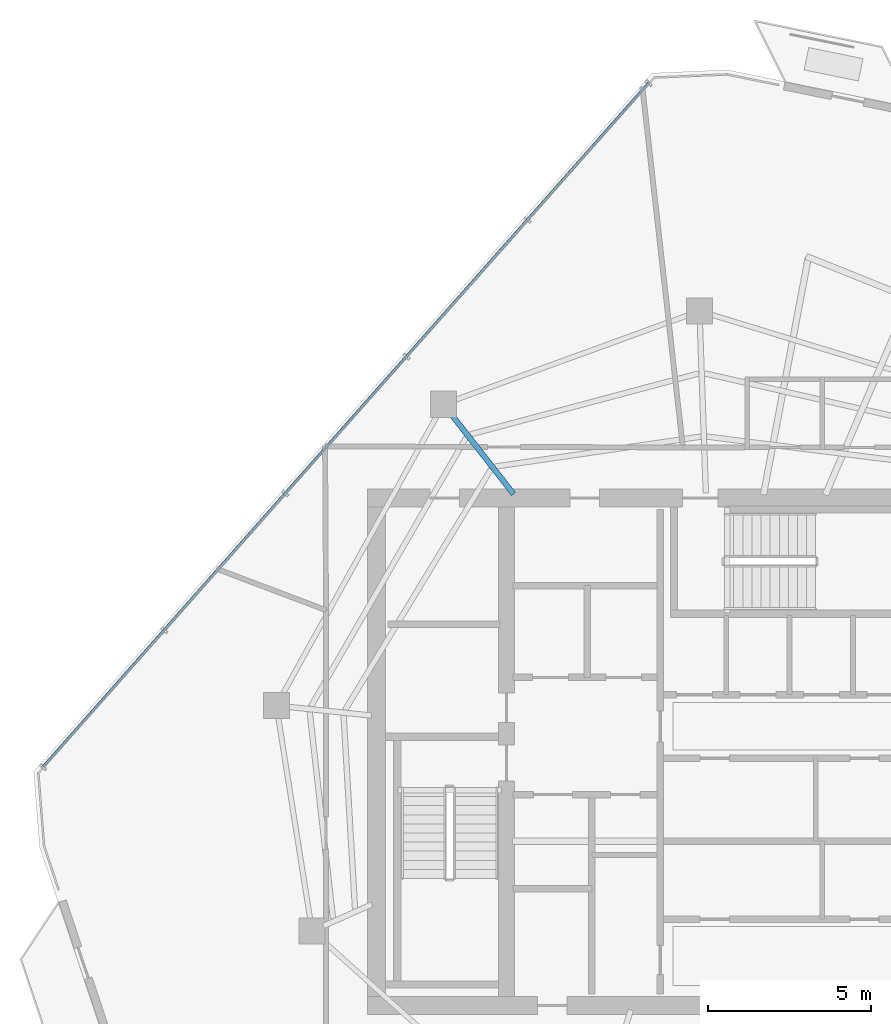
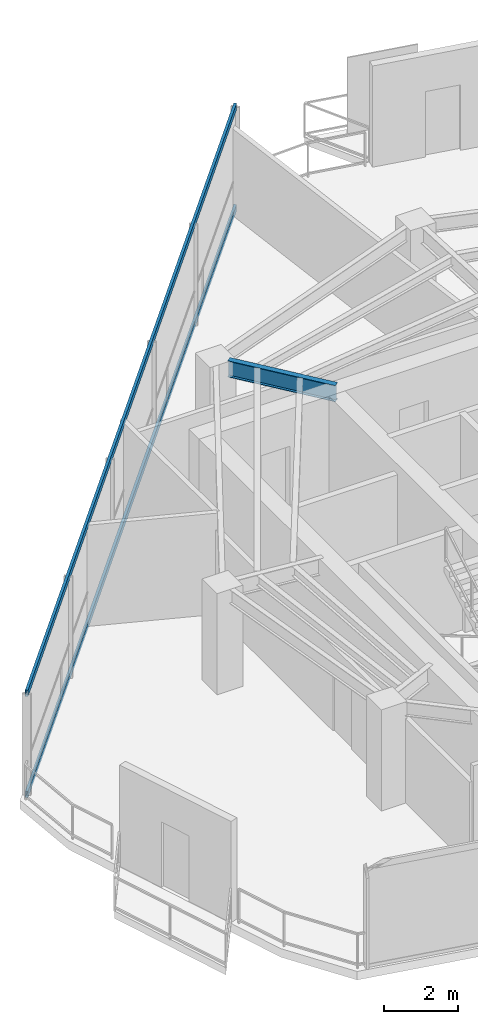
# One storey, part 7 of 18: 2 members, 1 beam, 1 element without a shape of its own.
"""IFC4 building model written with IfcOpenShell, lengths in metres."""

from ifc_helpers import new_model, si_unit, direction, frame, origin, origin_2d, place, context, subcontext, project, spatial, hollow_rectangle, i_section, extrude, material, layer, layer_set, material_profile, profile_set, type_object, element, aggregate, save


model = new_model("IFC4")

# Units and contexts
model_context = context("Model", 3, precision=1e-05, world=origin(), true_north=direction((0.0, 1.0)))
body_context = subcontext(model_context, "Body", "Model", "MODEL_VIEW")
ifc_project = project(units=[si_unit("LENGTHUNIT", "METRE"), si_unit("AREAUNIT", "SQUARE_METRE"), si_unit("VOLUMEUNIT", "CUBIC_METRE"), si_unit("PLANEANGLEUNIT", "RADIAN"), si_unit("MASSUNIT", "GRAM", prefix="KILO")], contexts=[model_context])

# Site, building, storey
site_placement = place(None, origin())
site = spatial("IfcSite", under=ifc_project, at=site_placement, CompositionType="ELEMENT")
building_placement = place(site_placement, origin())
building = spatial("IfcBuilding", under=site, at=building_placement, Name="Qarnah Convention Tower", CompositionType="ELEMENT")
storey_placement = place(building_placement, frame((0.0, 0.0, 249.89990234375)))
storey = spatial("IfcBuildingStorey", under=building, at=storey_placement, Name="L67", CompositionType="ELEMENT", Elevation=249.89990234375)

# Beam
ifc_material_1 = material(Name="Structural steel S355JR", Category="steel")
ifc_material_profile_1 = material_profile(ifc_material_1, i_section(OverallWidth=0.166015625, OverallDepth=0.535888671875, WebThickness=0.010009765625, FlangeThickness=0.01708984375, at=origin_2d()), Name="W530X85")
ifc_profile_set_1 = profile_set([ifc_material_profile_1], Name="Structural steel S355JR")
beam_type = type_object("IfcBeamType", Name="BM-RAD-W530B", PredefinedType="BEAM", material=ifc_profile_set_1)
beam_placement = place(storey_placement, frame((31.013916015625, 34.318115234375, 3.052001953125), z_axis=(-0.61549837076, 0.78813815768, 0.0), x_axis=(-0.78813815768, -0.61549837076, 0.0)))
element("IfcBeam", 1, at=beam_placement, inside=storey, type_object=beam_type, Name="L67 beam BM-L67-RAD-04", PredefinedType="BEAM", context=body_context, shape_type="SweptSolid", body=[
    extrude(i_section(OverallWidth=0.166015625, OverallDepth=0.535888671875, WebThickness=0.010009765625, FlangeThickness=0.01708984375, at=origin_2d()), origin(), (0.0, 0.0, 1.0), 3.12255859375),
])

# Curtain wall, members
ifc_material_2 = material(Name="Tempered Low-E dark glass", Category="glass")
ifc_layer = layer(ifc_material_2, 0.176025390625)
ifc_layer_set = layer_set([ifc_layer], Name="Tempered Low-E dark glass")
curtain_wall_type = type_object("IfcCurtainWallType", Name="CWS-05", PredefinedType="NOTDEFINED", material=ifc_layer_set)
curtain_wall_placement = place(storey_placement, origin())
curtain_wall = element("IfcCurtainWall", 2, at=curtain_wall_placement, inside=storey, type_object=curtain_wall_type, Name="L67 unitised curtain wall CW-L67-F2", PredefinedType="NOTDEFINED")
ifc_material_3 = material(Name="Black anodised aluminium", Category="aluminium")
ifc_material_profile_2 = material_profile(ifc_material_3, hollow_rectangle(XDim=0.080078125, YDim=0.2099609375, WallThickness=0.0048828125, at=origin_2d()), Name="TRN-80X210")
ifc_profile_set_2 = profile_set([ifc_material_profile_2], Name="Black anodised aluminium")
member_type = type_object("IfcMemberType", Name="TRN-T5", PredefinedType="USERDEFINED", material=ifc_profile_set_2)
member_1_placement = place(storey_placement, frame((16.553955078125, 25.929931640625, 0.0), z_axis=(0.662885284107, 0.748720976141, 0.0), x_axis=(-0.748720976141, 0.662885284107, 0.0)))
member_1 = element("IfcMember", 3, at=member_1_placement, type_object=member_type, Name="CW-L67-F2 transom 1", ObjectType="TRANSOM", PredefinedType="USERDEFINED", context=body_context, shape_type="SweptSolid", body=[
    extrude(hollow_rectangle(XDim=0.080078125, YDim=0.2099609375, WallThickness=0.0048828125, at=origin_2d()), origin(), (0.0, 0.0, 1.0), 28.075927734375),
])
member_2_placement = place(storey_placement, frame((16.553955078125, 25.929931640625, 3.320068359375), z_axis=(0.662885284107, 0.748720976141, 0.0), x_axis=(-0.748720976141, 0.662885284107, 0.0)))
member_2 = element("IfcMember", 4, at=member_2_placement, type_object=member_type, Name="CW-L67-F2 transom 2", ObjectType="TRANSOM", PredefinedType="USERDEFINED", context=body_context, shape_type="SweptSolid", body=[
    extrude(hollow_rectangle(XDim=0.080078125, YDim=0.2099609375, WallThickness=0.0048828125, at=origin_2d()), origin(), (0.0, 0.0, 1.0), 28.075927734375),
])
aggregate(curtain_wall, [member_1, member_2])

save(model, "model.ifc")
